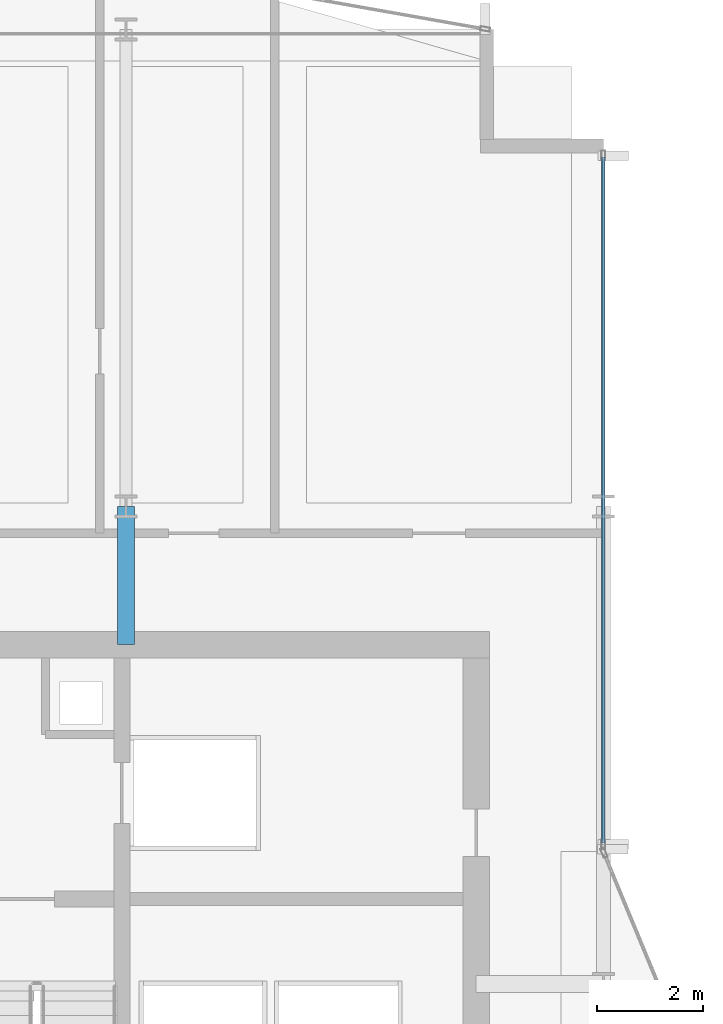
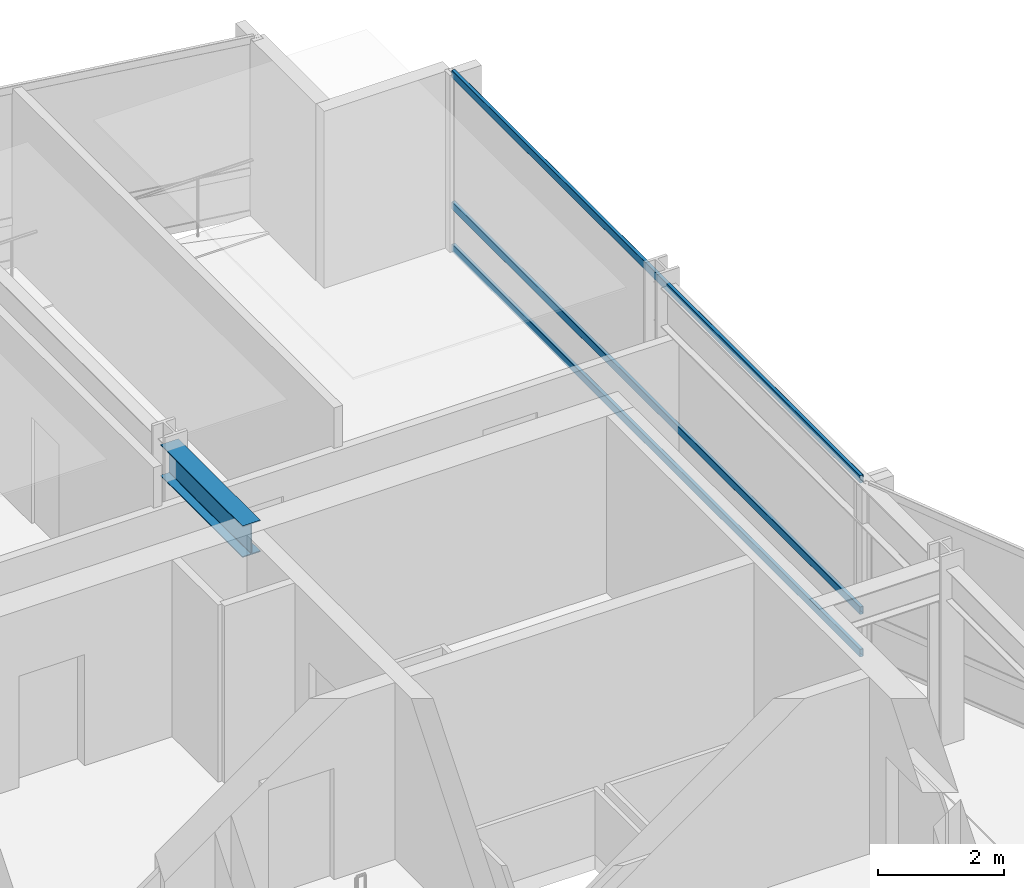
# One storey, part 18 of 29: 3 members, 1 beam, 1 element without a shape of its own.
"""IFC4 building model written with IfcOpenShell, lengths in metres."""

from ifc_helpers import new_model, si_unit, direction, frame, origin, origin_2d, place, context, subcontext, project, spatial, hollow_rectangle, i_section, extrude, material, layer, layer_set, material_profile, profile_set, type_object, element, aggregate, save


model = new_model("IFC4")

# Units and contexts
model_context = context("Model", 3, precision=1e-05, world=origin(), true_north=direction((0.0, 1.0)))
body_context = subcontext(model_context, "Body", "Model", "MODEL_VIEW")
ifc_project = project(units=[si_unit("LENGTHUNIT", "METRE"), si_unit("AREAUNIT", "SQUARE_METRE"), si_unit("VOLUMEUNIT", "CUBIC_METRE"), si_unit("PLANEANGLEUNIT", "RADIAN"), si_unit("MASSUNIT", "GRAM", prefix="KILO")], contexts=[model_context])

# Site, building, storey
site_placement = place(None, origin())
site = spatial("IfcSite", under=ifc_project, at=site_placement, CompositionType="ELEMENT")
building_placement = place(site_placement, origin())
building = spatial("IfcBuilding", under=site, at=building_placement, Name="Solvaryn Broadcast Tower", CompositionType="ELEMENT")
storey_placement = place(building_placement, frame((0.0, 0.0, 147.0)))
storey = spatial("IfcBuildingStorey", under=building, at=storey_placement, Name="L36", CompositionType="ELEMENT", Elevation=147.0)

# Beam
ifc_material_1 = material(Name="Steel ASTM A992 Grade 50", Category="steel")
ifc_material_profile_1 = material_profile(ifc_material_1, i_section(OverallWidth=0.323974609375, OverallDepth=0.611083984375, WebThickness=0.0126953125, FlangeThickness=0.01904296875, FilletRadius=0.014892578125, at=origin_2d()))
ifc_profile_set_1 = profile_set([ifc_material_profile_1], Name="Steel ASTM A992 Grade 50")
beam_type = type_object("IfcBeamType", Name="BM-B1-W24X104", PredefinedType="BEAM", material=ifc_profile_set_1)
beam_placement = place(storey_placement, frame((18.0, 42.39990234375, 3.114501953125), z_axis=(0.0, 1.0, 0.0), x_axis=(-1.0, 0.0, 0.0)))
element("IfcBeam", 1, at=beam_placement, inside=storey, type_object=beam_type, Name="L36 Core Tie Beam CTW3", PredefinedType="BEAM", context=body_context, shape_type="SweptSolid", body=[
    extrude(i_section(OverallWidth=0.323974609375, OverallDepth=0.611083984375, WebThickness=0.0126953125, FlangeThickness=0.01904296875, FilletRadius=0.014892578125, at=origin_2d()), origin(), (0.0, 0.0, 1.0), 2.60009765625),
])

# Curtain wall, members
ifc_material_2 = material(Name="Aluminium and Terracotta Unitised Curtain Wall", Category="masonry")
ifc_layer = layer(ifc_material_2, 0.199951171875)
ifc_layer_set = layer_set([ifc_layer], Name="CW-SYS2-LOWMID")
curtain_wall_type = type_object("IfcCurtainWallType", Name="CW-SYS2-LOWMID", PredefinedType="NOTDEFINED", material=ifc_layer_set)
curtain_wall_placement = place(storey_placement, origin())
curtain_wall = element("IfcCurtainWall", 2, at=curtain_wall_placement, inside=storey, type_object=curtain_wall_type, Name="L36 Curtain Wall IV", PredefinedType="NOTDEFINED")
ifc_material_3 = material(Name="Anodised Aluminium 6063-T6", Category="aluminium")
ifc_material_profile_2 = material_profile(ifc_material_3, hollow_rectangle(XDim=0.06494140625, YDim=0.14990234375, WallThickness=0.00390625, InnerFilletRadius=0.00390625, OuterFilletRadius=0.008056640625, at=origin_2d()))
ifc_profile_set_2 = profile_set([ifc_material_profile_2], Name="Anodised Aluminium 6063-T6")
member_type = type_object("IfcMemberType", Name="CW-TRN-150", PredefinedType="USERDEFINED", material=ifc_profile_set_2)
member_1_placement = place(storey_placement, frame((27.0, 51.590087890625, 0.030029296875), z_axis=(0.0, -1.0, 0.0), x_axis=(1.0, 0.0, 0.0)))
member_1 = element("IfcMember", 3, at=member_1_placement, type_object=member_type, Name="CWS2 transom 1.1", ObjectType="TRANSOM", PredefinedType="USERDEFINED", context=body_context, shape_type="SweptSolid", body=[
    extrude(hollow_rectangle(XDim=0.06494140625, YDim=0.14990234375, WallThickness=0.00390625, InnerFilletRadius=0.00390625, OuterFilletRadius=0.008056640625, at=origin_2d()), origin(), (0.0, 0.0, 1.0), 12.93017578125),
])
member_2_placement = place(storey_placement, frame((27.0, 51.590087890625, 0.85009765625), z_axis=(0.0, -1.0, 0.0), x_axis=(1.0, 0.0, 0.0)))
member_2 = element("IfcMember", 4, at=member_2_placement, type_object=member_type, Name="CWS2 transom 1.2", ObjectType="TRANSOM", PredefinedType="USERDEFINED", context=body_context, shape_type="SweptSolid", body=[
    extrude(hollow_rectangle(XDim=0.06494140625, YDim=0.14990234375, WallThickness=0.00390625, InnerFilletRadius=0.00390625, OuterFilletRadius=0.008056640625, at=origin_2d()), origin(), (0.0, 0.0, 1.0), 12.93017578125),
])
member_3_placement = place(storey_placement, frame((27.0, 51.590087890625, 3.389892578125), z_axis=(0.0, -1.0, 0.0), x_axis=(1.0, 0.0, 0.0)))
member_3 = element("IfcMember", 5, at=member_3_placement, type_object=member_type, Name="CWS2 transom 1.3", ObjectType="TRANSOM", PredefinedType="USERDEFINED", context=body_context, shape_type="SweptSolid", body=[
    extrude(hollow_rectangle(XDim=0.06494140625, YDim=0.14990234375, WallThickness=0.00390625, InnerFilletRadius=0.00390625, OuterFilletRadius=0.008056640625, at=origin_2d()), origin(), (0.0, 0.0, 1.0), 12.93017578125),
])
aggregate(curtain_wall, [member_1, member_2, member_3])

save(model, "model.ifc")
